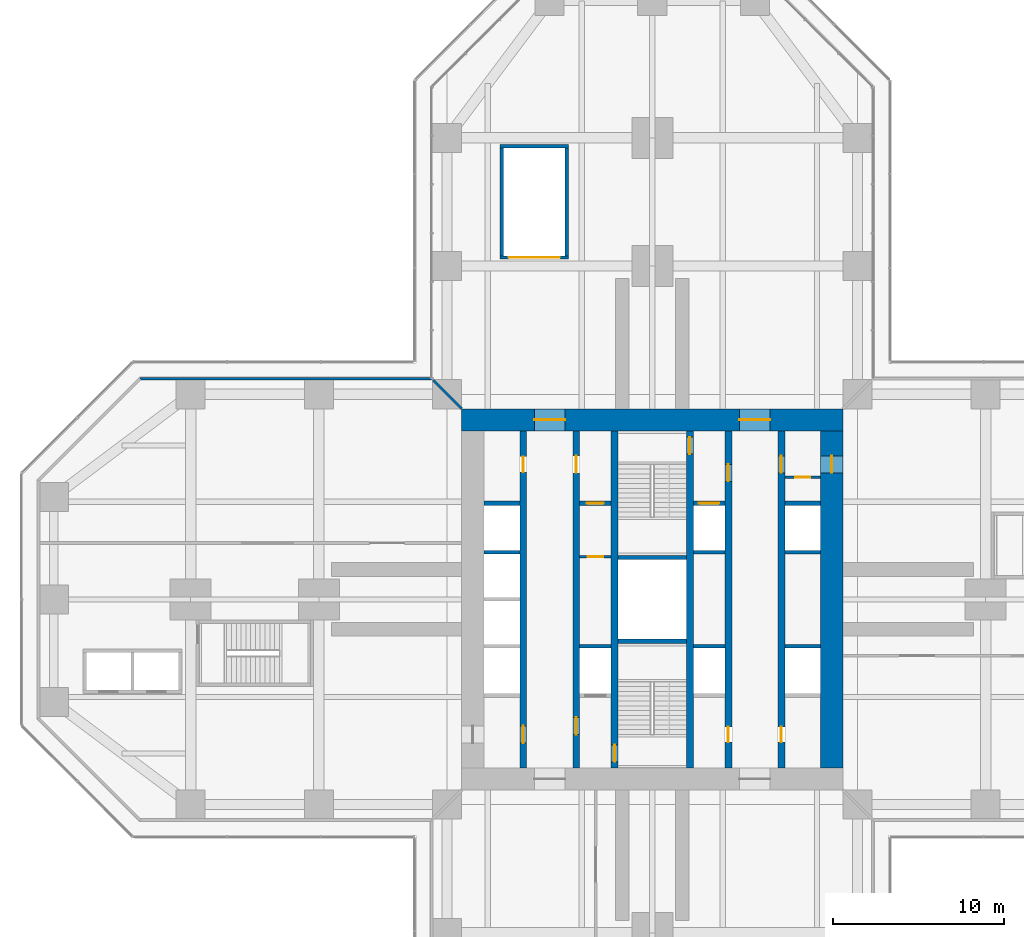
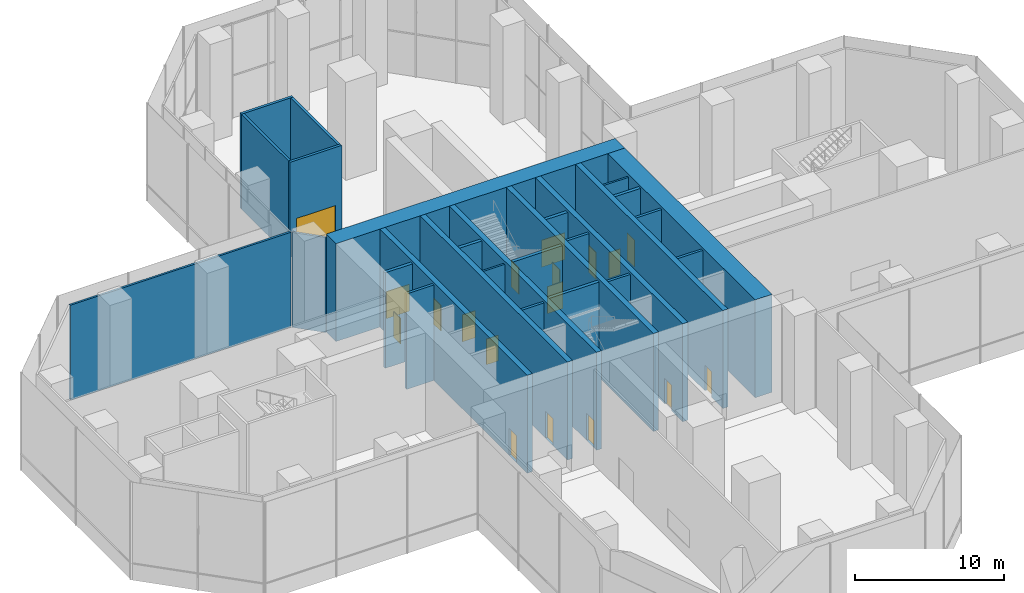
# One storey, part 18 of 25: 28 walls, 18 doors, 18 openings.
"""IFC4 building model written with IfcOpenShell, lengths in metres."""

from ifc_helpers import new_model, si_unit, direction, frame, frame_2d, origin, place, context, subcontext, project, spatial, rectangle, extrude, material, layer, layer_set, type_object, element, fill, save


model = new_model("IFC4")

# Units and contexts
model_context = context("Model", 3, precision=1e-05, world=origin(), true_north=direction((0.0, 1.0)))
body_context = subcontext(model_context, "Body", "Model", "MODEL_VIEW")
ifc_project = project(units=[si_unit("LENGTHUNIT", "METRE"), si_unit("AREAUNIT", "SQUARE_METRE"), si_unit("VOLUMEUNIT", "CUBIC_METRE"), si_unit("PLANEANGLEUNIT", "RADIAN"), si_unit("MASSUNIT", "GRAM", prefix="KILO")], contexts=[model_context])

# Site, building, storey
site_placement = place(None, origin())
site = spatial("IfcSite", under=ifc_project, at=site_placement, CompositionType="ELEMENT")
building_placement = place(site_placement, origin())
building = spatial("IfcBuilding", under=site, at=building_placement, Name="Mizan Broadcast Tower", CompositionType="ELEMENT")
storey_placement = place(building_placement, frame((0.0, 0.0, 7.0)))
storey = spatial("IfcBuildingStorey", under=building, at=storey_placement, Name="L01", CompositionType="ELEMENT", Elevation=7.0)

# Wall, openings, doors
ifc_material_1 = material(Name="Concrete C70/85", Category="concrete")
ifc_layer_1 = layer(ifc_material_1, 0.39990234375)
ifc_layer_set_1 = layer_set([ifc_layer_1], Name="Concrete C70/85")
wall_type_1 = type_object("IfcWallType", Name="CORE INTERNAL WALL 400", PredefinedType="SHEAR", material=ifc_layer_set_1)
wall_1_placement = place(storey_placement, frame((-7.550048828125, -9.85009765625, 0.0), z_axis=(0.0, 0.0, 1.0), x_axis=(0.0, 1.0, 0.0)))
wall_1 = element("IfcWall", 1, at=wall_1_placement, inside=storey, type_object=wall_type_1, Name="Core wall CORE/XW1", PredefinedType="SHEAR", context=body_context, shape_type="SweptSolid", body=[
    extrude(rectangle(XDim=19.7001953125, YDim=0.39990234375, at=frame_2d((9.85009765625, 0.0))), origin(), (0.0, 0.0, 1.0), 8.0),
])
opening_1_placement = place(wall_1_placement, frame((1.449951171875, 0.0, 0.0)))
opening_1 = element("IfcOpeningElement", 2, at=opening_1_placement, cuts=wall_1, Name="Opening D10F", PredefinedType="OPENING", context=body_context, shape_type="SweptSolid", body=[
    extrude(rectangle(XDim=1.0, YDim=2.199951171875, at=frame_2d((0.5, 1.10009765625))), frame((0.0, 0.2099609375, 0.0), z_axis=(0.0, -1.0, 0.0), x_axis=(1.0, 0.0, 0.0)), (0.0, 0.0, 1.0), 0.419921875),
])
opening_2_placement = place(wall_1_placement, frame((17.300048828125, 0.0, 0.0)))
opening_2 = element("IfcOpeningElement", 3, at=opening_2_placement, cuts=wall_1, Name="Opening D09", PredefinedType="OPENING", context=body_context, shape_type="SweptSolid", body=[
    extrude(rectangle(XDim=0.89990234375, YDim=2.10009765625, at=frame_2d((0.449951171875, 1.050048828125))), frame((0.0, 0.2099609375, 0.0), z_axis=(0.0, -1.0, 0.0), x_axis=(1.0, 0.0, 0.0)), (0.0, 0.0, 1.0), 0.419921875),
])
ifc_material_2 = material(Name="Steel door leaf in steel frame", Category="steel")
door_type_1 = type_object("IfcDoorType", Name="FIRE DOOR 1000 FD90", OperationType="SINGLE_SWING_LEFT", PredefinedType="DOOR", material=ifc_material_2)
door_1_placement = place(opening_1_placement, origin())
door_1 = element("IfcDoor", 4, at=door_1_placement, inside=storey, type_object=door_type_1, Name="West core passage door", OperationType="SINGLE_SWING_LEFT", OverallHeight=2.199951171875, OverallWidth=1.0, PredefinedType="DOOR", context=body_context, shape_type="SweptSolid", body=[
    extrude(rectangle(XDim=1.0, YDim=2.199951171875, at=frame_2d((0.5, 1.10009765625))), frame((0.0, 0.02490234375, 0.0), z_axis=(0.0, -1.0, 0.0), x_axis=(1.0, 0.0, 0.0)), (0.0, 0.0, 1.0), 0.050048828125),
])
fill(opening_1, door_1)
ifc_material_3 = material(Name="Timber door leaf in aluminium frame", Category="wood")
door_type_2 = type_object("IfcDoorType", Name="TOILET DOOR 900", OperationType="SINGLE_SWING_LEFT", PredefinedType="DOOR", material=ifc_material_3)
door_2_placement = place(opening_2_placement, origin())
door_2 = element("IfcDoor", 5, at=door_2_placement, inside=storey, type_object=door_type_2, Name="Male WC door", OperationType="SINGLE_SWING_RIGHT", OverallHeight=2.10009765625, OverallWidth=0.89990234375, PredefinedType="DOOR", context=body_context, shape_type="SweptSolid", body=[
    extrude(rectangle(XDim=0.89990234375, YDim=2.10009765625, at=frame_2d((0.449951171875, 1.050048828125))), frame((0.0, 0.02490234375, 0.0), z_axis=(0.0, -1.0, 0.0), x_axis=(1.0, 0.0, 0.0)), (0.0, 0.0, 1.0), 0.050048828125),
])
fill(opening_2, door_2)

wall_2_placement = place(storey_placement, frame((7.550048828125, 9.85009765625, 0.0), z_axis=(0.0, 0.0, 1.0), x_axis=(0.0, -1.0, 0.0)))
wall_2 = element("IfcWall", 6, at=wall_2_placement, inside=storey, type_object=wall_type_1, Name="Core wall CORE/XW1E", PredefinedType="SHEAR", context=body_context, shape_type="SweptSolid", body=[
    extrude(rectangle(XDim=19.7001953125, YDim=0.39990234375, at=frame_2d((9.85009765625, 0.0))), origin(), (0.0, 0.0, 1.0), 8.0),
])
opening_3_placement = place(wall_2_placement, frame((1.449951171875, 0.0, 0.0)))
opening_3 = element("IfcOpeningElement", 7, at=opening_3_placement, cuts=wall_2, Name="Opening D10F", PredefinedType="OPENING", context=body_context, shape_type="SweptSolid", body=[
    extrude(rectangle(XDim=1.0, YDim=2.199951171875, at=frame_2d((0.5, 1.10009765625))), frame((0.0, 0.2099609375, 0.0), z_axis=(0.0, -1.0, 0.0), x_axis=(1.0, 0.0, 0.0)), (0.0, 0.0, 1.0), 0.419921875),
])
opening_4_placement = place(wall_2_placement, frame((17.300048828125, 0.0, 0.0)))
opening_4 = element("IfcOpeningElement", 8, at=opening_4_placement, cuts=wall_2, Name="Opening D09", PredefinedType="OPENING", context=body_context, shape_type="SweptSolid", body=[
    extrude(rectangle(XDim=0.89990234375, YDim=2.10009765625, at=frame_2d((0.449951171875, 1.050048828125))), frame((0.0, 0.2099609375, 0.0), z_axis=(0.0, -1.0, 0.0), x_axis=(1.0, 0.0, 0.0)), (0.0, 0.0, 1.0), 0.419921875),
])
door_3_placement = place(opening_3_placement, origin())
door_3 = element("IfcDoor", 9, at=door_3_placement, inside=storey, type_object=door_type_1, Name="East core passage door", OperationType="SINGLE_SWING_LEFT", OverallHeight=2.199951171875, OverallWidth=1.0, PredefinedType="DOOR", context=body_context, shape_type="SweptSolid", body=[
    extrude(rectangle(XDim=1.0, YDim=2.199951171875, at=frame_2d((0.5, 1.10009765625))), frame((0.0, 0.02490234375, 0.0), z_axis=(0.0, -1.0, 0.0), x_axis=(1.0, 0.0, 0.0)), (0.0, 0.0, 1.0), 0.050048828125),
])
fill(opening_3, door_3)
door_4_placement = place(opening_4_placement, origin())
door_4 = element("IfcDoor", 10, at=door_4_placement, inside=storey, type_object=door_type_2, Name="Female WC door", OperationType="SINGLE_SWING_RIGHT", OverallHeight=2.10009765625, OverallWidth=0.89990234375, PredefinedType="DOOR", context=body_context, shape_type="SweptSolid", body=[
    extrude(rectangle(XDim=0.89990234375, YDim=2.10009765625, at=frame_2d((0.449951171875, 1.050048828125))), frame((0.0, 0.02490234375, 0.0), z_axis=(0.0, -1.0, 0.0), x_axis=(1.0, 0.0, 0.0)), (0.0, 0.0, 1.0), 0.050048828125),
])
fill(opening_4, door_4)

wall_3_placement = place(storey_placement, frame((-4.449951171875, -9.85009765625, 0.0), z_axis=(0.0, 0.0, 1.0), x_axis=(0.0, 1.0, 0.0)))
wall_3 = element("IfcWall", 11, at=wall_3_placement, inside=storey, type_object=wall_type_1, Name="Core wall CORE/XWH", PredefinedType="SHEAR", context=body_context, shape_type="SweptSolid", body=[
    extrude(rectangle(XDim=19.7001953125, YDim=0.39990234375, at=frame_2d((9.85009765625, 0.0))), origin(), (0.0, 0.0, 1.0), 8.0),
])
opening_5_placement = place(wall_3_placement, frame((1.949951171875, 0.0, 0.0)))
opening_5 = element("IfcOpeningElement", 12, at=opening_5_placement, cuts=wall_3, Name="Opening D10F", PredefinedType="OPENING", context=body_context, shape_type="SweptSolid", body=[
    extrude(rectangle(XDim=1.0, YDim=2.199951171875, at=frame_2d((0.5, 1.10009765625))), frame((0.0, 0.2099609375, 0.0), z_axis=(0.0, -1.0, 0.0), x_axis=(1.0, 0.0, 0.0)), (0.0, 0.0, 1.0), 0.419921875),
])
opening_6_placement = place(wall_3_placement, frame((17.25, 0.0, 0.0)))
opening_6 = element("IfcOpeningElement", 13, at=opening_6_placement, cuts=wall_3, Name="Opening D10A", PredefinedType="OPENING", context=body_context, shape_type="SweptSolid", body=[
    extrude(rectangle(XDim=1.0, YDim=2.10009765625, at=frame_2d((0.5, 1.050048828125))), frame((0.0, 0.2099609375, 0.0), z_axis=(0.0, -1.0, 0.0), x_axis=(1.0, 0.0, 0.0)), (0.0, 0.0, 1.0), 0.419921875),
])
ifc_material_4 = material(Name="Timber door leaf in aluminium frame", Category="wood")
door_type_3 = type_object("IfcDoorType", Name="ACCESSIBLE WC DOOR 1000", OperationType="SLIDING_TO_LEFT", PredefinedType="DOOR", material=ifc_material_4)
door_5_placement = place(opening_6_placement, origin())
door_5 = element("IfcDoor", 14, at=door_5_placement, inside=storey, type_object=door_type_3, Name="Accessible WC door", OperationType="SLIDING_TO_LEFT", OverallHeight=2.10009765625, OverallWidth=1.0, PredefinedType="DOOR", context=body_context, shape_type="SweptSolid", body=[
    extrude(rectangle(XDim=1.0, YDim=2.10009765625, at=frame_2d((0.5, 1.050048828125))), frame((0.0, 0.02490234375, 0.0), z_axis=(0.0, -1.0, 0.0), x_axis=(1.0, 0.0, 0.0)), (0.0, 0.0, 1.0), 0.050048828125),
])
fill(opening_6, door_5)
door_6_placement = place(opening_5_placement, origin())
door_6 = element("IfcDoor", 15, at=door_6_placement, inside=storey, type_object=door_type_1, Name="Firefighting lobby A door", OperationType="SINGLE_SWING_LEFT", OverallHeight=2.199951171875, OverallWidth=1.0, PredefinedType="DOOR", context=body_context, shape_type="SweptSolid", body=[
    extrude(rectangle(XDim=1.0, YDim=2.199951171875, at=frame_2d((0.5, 1.10009765625))), frame((0.0, 0.02490234375, 0.0), z_axis=(0.0, -1.0, 0.0), x_axis=(1.0, 0.0, 0.0)), (0.0, 0.0, 1.0), 0.050048828125),
])
fill(opening_5, door_6)

wall_4_placement = place(storey_placement, frame((4.449951171875, 9.85009765625, 0.0), z_axis=(0.0, 0.0, 1.0), x_axis=(0.0, -1.0, 0.0)))
wall_4 = element("IfcWall", 16, at=wall_4_placement, inside=storey, type_object=wall_type_1, Name="Core wall CORE/XWHE", PredefinedType="SHEAR", context=body_context, shape_type="SweptSolid", body=[
    extrude(rectangle(XDim=19.7001953125, YDim=0.39990234375, at=frame_2d((9.85009765625, 0.0))), origin(), (0.0, 0.0, 1.0), 8.0),
])
opening_7_placement = place(wall_4_placement, frame((1.949951171875, 0.0, 0.0)))
opening_7 = element("IfcOpeningElement", 17, at=opening_7_placement, cuts=wall_4, Name="Opening D10F", PredefinedType="OPENING", context=body_context, shape_type="SweptSolid", body=[
    extrude(rectangle(XDim=1.0, YDim=2.199951171875, at=frame_2d((0.5, 1.10009765625))), frame((0.0, 0.2099609375, 0.0), z_axis=(0.0, -1.0, 0.0), x_axis=(1.0, 0.0, 0.0)), (0.0, 0.0, 1.0), 0.419921875),
])
opening_8_placement = place(wall_4_placement, frame((17.300048828125, 0.0, 0.0)))
opening_8 = element("IfcOpeningElement", 18, at=opening_8_placement, cuts=wall_4, Name="Opening D09", PredefinedType="OPENING", context=body_context, shape_type="SweptSolid", body=[
    extrude(rectangle(XDim=0.89990234375, YDim=2.10009765625, at=frame_2d((0.449951171875, 1.050048828125))), frame((0.0, 0.2099609375, 0.0), z_axis=(0.0, -1.0, 0.0), x_axis=(1.0, 0.0, 0.0)), (0.0, 0.0, 1.0), 0.419921875),
])
door_7_placement = place(opening_7_placement, origin())
door_7 = element("IfcDoor", 19, at=door_7_placement, inside=storey, type_object=door_type_1, Name="Firefighting lobby B door", OperationType="SINGLE_SWING_LEFT", OverallHeight=2.199951171875, OverallWidth=1.0, PredefinedType="DOOR", context=body_context, shape_type="SweptSolid", body=[
    extrude(rectangle(XDim=1.0, YDim=2.199951171875, at=frame_2d((0.5, 1.10009765625))), frame((0.0, 0.02490234375, 0.0), z_axis=(0.0, -1.0, 0.0), x_axis=(1.0, 0.0, 0.0)), (0.0, 0.0, 1.0), 0.050048828125),
])
fill(opening_7, door_7)
door_8_placement = place(opening_8_placement, origin())
door_8 = element("IfcDoor", 20, at=door_8_placement, inside=storey, type_object=door_type_2, Name="Cleaner's store door", OperationType="SINGLE_SWING_RIGHT", OverallHeight=2.10009765625, OverallWidth=0.89990234375, PredefinedType="DOOR", context=body_context, shape_type="SweptSolid", body=[
    extrude(rectangle(XDim=0.89990234375, YDim=2.10009765625, at=frame_2d((0.449951171875, 1.050048828125))), frame((0.0, 0.02490234375, 0.0), z_axis=(0.0, -1.0, 0.0), x_axis=(1.0, 0.0, 0.0)), (0.0, 0.0, 1.0), 0.050048828125),
])
fill(opening_8, door_8)

# Wall, opening, door
wall_5_placement = place(storey_placement, frame((-2.199951171875, -9.85009765625, 0.0), z_axis=(0.0, 0.0, 1.0), x_axis=(0.0, 1.0, 0.0)))
wall_5 = element("IfcWall", 21, at=wall_5_placement, inside=storey, type_object=wall_type_1, Name="Core wall CORE/XW2", PredefinedType="SHEAR", context=body_context, shape_type="SweptSolid", body=[
    extrude(rectangle(XDim=19.7001953125, YDim=0.39990234375, at=frame_2d((9.85009765625, 0.0))), origin(), (0.0, 0.0, 1.0), 8.0),
])
opening_9_placement = place(wall_5_placement, frame((0.35009765625, 0.0, 0.0)))
opening_9 = element("IfcOpeningElement", 22, at=opening_9_placement, cuts=wall_5, Name="Opening D10S", PredefinedType="OPENING", context=body_context, shape_type="SweptSolid", body=[
    extrude(rectangle(XDim=1.0, YDim=2.199951171875, at=frame_2d((0.5, 1.10009765625))), frame((0.0, 0.2099609375, 0.0), z_axis=(0.0, -1.0, 0.0), x_axis=(1.0, 0.0, 0.0)), (0.0, 0.0, 1.0), 0.419921875),
])
ifc_material_5 = material(Name="Steel door leaf in steel frame", Category="steel")
door_type_4 = type_object("IfcDoorType", Name="STAIR DOOR 1000 FD90S", OperationType="SINGLE_SWING_RIGHT", PredefinedType="DOOR", material=ifc_material_5)
door_9_placement = place(opening_9_placement, origin())
door_9 = element("IfcDoor", 23, at=door_9_placement, inside=storey, type_object=door_type_4, Name="Stair A door", OperationType="SINGLE_SWING_RIGHT", OverallHeight=2.199951171875, OverallWidth=1.0, PredefinedType="DOOR", context=body_context, shape_type="SweptSolid", body=[
    extrude(rectangle(XDim=1.0, YDim=2.199951171875, at=frame_2d((0.5, 1.10009765625))), frame((0.0, 0.02490234375, 0.0), z_axis=(0.0, -1.0, 0.0), x_axis=(1.0, 0.0, 0.0)), (0.0, 0.0, 1.0), 0.050048828125),
])
fill(opening_9, door_9)

wall_6_placement = place(storey_placement, frame((2.199951171875, 9.85009765625, 0.0), z_axis=(0.0, 0.0, 1.0), x_axis=(0.0, -1.0, 0.0)))
wall_6 = element("IfcWall", 24, at=wall_6_placement, inside=storey, type_object=wall_type_1, Name="Core wall CORE/XW2E", PredefinedType="SHEAR", context=body_context, shape_type="SweptSolid", body=[
    extrude(rectangle(XDim=19.7001953125, YDim=0.39990234375, at=frame_2d((9.85009765625, 0.0))), origin(), (0.0, 0.0, 1.0), 8.0),
])
opening_10_placement = place(wall_6_placement, frame((0.35009765625, 0.0, 0.0)))
opening_10 = element("IfcOpeningElement", 25, at=opening_10_placement, cuts=wall_6, Name="Opening D10S", PredefinedType="OPENING", context=body_context, shape_type="SweptSolid", body=[
    extrude(rectangle(XDim=1.0, YDim=2.199951171875, at=frame_2d((0.5, 1.10009765625))), frame((0.0, 0.2099609375, 0.0), z_axis=(0.0, -1.0, 0.0), x_axis=(1.0, 0.0, 0.0)), (0.0, 0.0, 1.0), 0.419921875),
])
door_10_placement = place(opening_10_placement, origin())
door_10 = element("IfcDoor", 26, at=door_10_placement, inside=storey, type_object=door_type_4, Name="Stair B door", OperationType="SINGLE_SWING_RIGHT", OverallHeight=2.199951171875, OverallWidth=1.0, PredefinedType="DOOR", context=body_context, shape_type="SweptSolid", body=[
    extrude(rectangle(XDim=1.0, YDim=2.199951171875, at=frame_2d((0.5, 1.10009765625))), frame((0.0, 0.02490234375, 0.0), z_axis=(0.0, -1.0, 0.0), x_axis=(1.0, 0.0, 0.0)), (0.0, 0.0, 1.0), 0.050048828125),
])
fill(opening_10, door_10)

ifc_material_6 = material(Name="Concrete blockwork", Category="masonry")
ifc_layer_2 = layer(ifc_material_6, 0.14990234375)
ifc_layer_set_2 = layer_set([ifc_layer_2], Name="Concrete blockwork")
wall_type_2 = type_object("IfcWallType", Name="CORE PARTITION 150", PredefinedType="SOLIDWALL", material=ifc_layer_set_2)
wall_7_placement = place(storey_placement, frame((-4.25, 2.5, 0.0), z_axis=(0.0, 0.0, 1.0), x_axis=(1.0, 0.0, 0.0)))
wall_7 = element("IfcWall", 27, at=wall_7_placement, inside=storey, type_object=wall_type_2, Name="Core partition CORE/XP2", PredefinedType="SOLIDWALL", context=body_context, shape_type="SweptSolid", body=[
    extrude(rectangle(XDim=1.85009765625, YDim=0.14990234375, at=frame_2d((0.925048828125, 0.0))), origin(), (0.0, 0.0, 1.0), 7.75),
])
opening_11_placement = place(wall_7_placement, frame((0.47509765625, 0.0, 0.0)))
opening_11 = element("IfcOpeningElement", 28, at=opening_11_placement, cuts=wall_7, Name="Opening D09F", PredefinedType="OPENING", context=body_context, shape_type="SweptSolid", body=[
    extrude(rectangle(XDim=0.89990234375, YDim=2.10009765625, at=frame_2d((0.449951171875, 1.050048828125))), frame((0.0, 0.0849609375, 0.0), z_axis=(0.0, -1.0, 0.0), x_axis=(1.0, 0.0, 0.0)), (0.0, 0.0, 1.0), 0.169921875),
])
ifc_material_7 = material(Name="Steel door leaf in steel frame", Category="steel")
door_type_5 = type_object("IfcDoorType", Name="CORE ROOM DOOR 900 FD90", OperationType="SINGLE_SWING_LEFT", PredefinedType="DOOR", material=ifc_material_7)
door_11_placement = place(opening_11_placement, origin())
door_11 = element("IfcDoor", 29, at=door_11_placement, inside=storey, type_object=door_type_5, Name="Shower store door", OperationType="SINGLE_SWING_RIGHT", OverallHeight=2.10009765625, OverallWidth=0.89990234375, PredefinedType="DOOR", context=body_context, shape_type="SweptSolid", body=[
    extrude(rectangle(XDim=0.89990234375, YDim=2.10009765625, at=frame_2d((0.449951171875, 1.050048828125))), frame((0.0, 0.02490234375, 0.0), z_axis=(0.0, -1.0, 0.0), x_axis=(1.0, 0.0, 0.0)), (0.0, 0.0, 1.0), 0.050048828125),
])
fill(opening_11, door_11)

wall_8_placement = place(storey_placement, frame((9.85009765625, 7.14990234375, 0.0), z_axis=(0.0, 0.0, 1.0), x_axis=(-1.0, 0.0, 0.0)))
wall_8 = element("IfcWall", 30, at=wall_8_placement, inside=storey, type_object=wall_type_2, Name="Core partition CORE/XPE", PredefinedType="SOLIDWALL", context=body_context, shape_type="SweptSolid", body=[
    extrude(rectangle(XDim=2.10009765625, YDim=0.14990234375, at=frame_2d((1.050048828125, 0.0))), origin(), (0.0, 0.0, 1.0), 7.75),
])
opening_12_placement = place(wall_8_placement, frame((0.60009765625, 0.0, 0.0)))
opening_12 = element("IfcOpeningElement", 31, at=opening_12_placement, cuts=wall_8, Name="Opening D09F", PredefinedType="OPENING", context=body_context, shape_type="SweptSolid", body=[
    extrude(rectangle(XDim=0.89990234375, YDim=2.10009765625, at=frame_2d((0.449951171875, 1.050048828125))), frame((0.0, 0.0849609375, 0.0), z_axis=(0.0, -1.0, 0.0), x_axis=(1.0, 0.0, 0.0)), (0.0, 0.0, 1.0), 0.169921875),
])
door_12_placement = place(opening_12_placement, origin())
door_12 = element("IfcDoor", 32, at=door_12_placement, inside=storey, type_object=door_type_5, Name="Comms cupboard door", OperationType="SINGLE_SWING_RIGHT", OverallHeight=2.10009765625, OverallWidth=0.89990234375, PredefinedType="DOOR", context=body_context, shape_type="SweptSolid", body=[
    extrude(rectangle(XDim=0.89990234375, YDim=2.10009765625, at=frame_2d((0.449951171875, 1.050048828125))), frame((0.0, 0.02490234375, 0.0), z_axis=(0.0, -1.0, 0.0), x_axis=(1.0, 0.0, 0.0)), (0.0, 0.0, 1.0), 0.050048828125),
])
fill(opening_12, door_12)

# Wall, openings, doors
ifc_material_8 = material(Name="Concrete C70/85", Category="concrete")
ifc_layer_3 = layer(ifc_material_8, 1.300048828125)
ifc_layer_set_3 = layer_set([ifc_layer_3], Name="Concrete C70/85")
wall_type_3 = type_object("IfcWallType", Name="CORE WALL 1300", PredefinedType="SHEAR", material=ifc_layer_set_3)
wall_9_placement = place(storey_placement, frame((-11.14990234375, 10.5, 0.0), z_axis=(0.0, 0.0, 1.0), x_axis=(1.0, 0.0, 0.0)))
wall_9 = element("IfcWall", 33, at=wall_9_placement, inside=storey, type_object=wall_type_3, Name="Core wall N L01", PredefinedType="SHEAR", context=body_context, shape_type="SweptSolid", body=[
    extrude(rectangle(XDim=22.2998046875, YDim=1.300048828125, at=frame_2d((11.14990234375, 0.0))), origin(), (0.0, 0.0, 1.0), 8.0),
])
opening_13_placement = place(wall_9_placement, frame((4.25, 0.0, 0.0)))
opening_13 = element("IfcOpeningElement", 34, at=opening_13_placement, cuts=wall_9, Name="Opening D18F", PredefinedType="OPENING", context=body_context, shape_type="SweptSolid", body=[
    extrude(rectangle(XDim=1.800048828125, YDim=2.199951171875, at=frame_2d((0.89990234375, 1.10009765625))), frame((0.0, 0.659912109375, 0.0), z_axis=(0.0, -1.0, 0.0), x_axis=(1.0, 0.0, 0.0)), (0.0, 0.0, 1.0), 1.320068359375),
])
opening_14_placement = place(wall_9_placement, frame((16.25, 0.0, 0.0)))
opening_14 = element("IfcOpeningElement", 35, at=opening_14_placement, cuts=wall_9, Name="Opening D18F", PredefinedType="OPENING", context=body_context, shape_type="SweptSolid", body=[
    extrude(rectangle(XDim=1.800048828125, YDim=2.199951171875, at=frame_2d((0.89990234375, 1.10009765625))), frame((0.0, 0.659912109375, 0.0), z_axis=(0.0, -1.0, 0.0), x_axis=(1.0, 0.0, 0.0)), (0.0, 0.0, 1.0), 1.320068359375),
])
ifc_material_9 = material(Name="Steel door leaf in steel frame", Category="steel")
door_type_6 = type_object("IfcDoorType", Name="LOBBY DOUBLE DOOR 1800 FD90", OperationType="DOUBLE_DOOR_DOUBLE_SWING", PredefinedType="DOOR", material=ifc_material_9)
door_13_placement = place(opening_13_placement, origin())
door_13 = element("IfcDoor", 36, at=door_13_placement, inside=storey, type_object=door_type_6, Name="West lift lobby north door", OperationType="DOUBLE_DOOR_DOUBLE_SWING", OverallHeight=2.199951171875, OverallWidth=1.800048828125, PredefinedType="DOOR", context=body_context, shape_type="SweptSolid", body=[
    extrude(rectangle(XDim=1.800048828125, YDim=2.199951171875, at=frame_2d((0.89990234375, 1.10009765625))), frame((0.0, 0.02490234375, 0.0), z_axis=(0.0, -1.0, 0.0), x_axis=(1.0, 0.0, 0.0)), (0.0, 0.0, 1.0), 0.050048828125),
])
fill(opening_13, door_13)
door_14_placement = place(opening_14_placement, origin())
door_14 = element("IfcDoor", 37, at=door_14_placement, inside=storey, type_object=door_type_6, Name="East lift lobby north door", OperationType="DOUBLE_DOOR_DOUBLE_SWING", OverallHeight=2.199951171875, OverallWidth=1.800048828125, PredefinedType="DOOR", context=body_context, shape_type="SweptSolid", body=[
    extrude(rectangle(XDim=1.800048828125, YDim=2.199951171875, at=frame_2d((0.89990234375, 1.10009765625))), frame((0.0, 0.02490234375, 0.0), z_axis=(0.0, -1.0, 0.0), x_axis=(1.0, 0.0, 0.0)), (0.0, 0.0, 1.0), 0.050048828125),
])
fill(opening_14, door_14)

# Wall, opening, door
wall_10_placement = place(storey_placement, frame((10.5, -9.85009765625, 0.0), z_axis=(0.0, 0.0, 1.0), x_axis=(0.0, 1.0, 0.0)))
wall_10 = element("IfcWall", 38, at=wall_10_placement, inside=storey, type_object=wall_type_3, Name="Core wall E L01", PredefinedType="SHEAR", context=body_context, shape_type="SweptSolid", body=[
    extrude(rectangle(XDim=19.7001953125, YDim=1.300048828125, at=frame_2d((9.85009765625, 0.0))), origin(), (0.0, 0.0, 1.0), 8.0),
])
opening_15_placement = place(wall_10_placement, frame((17.25, 0.0, 0.0)))
opening_15 = element("IfcOpeningElement", 39, at=opening_15_placement, cuts=wall_10, Name="Opening D10F", PredefinedType="OPENING", context=body_context, shape_type="SweptSolid", body=[
    extrude(rectangle(XDim=1.0, YDim=2.199951171875, at=frame_2d((0.5, 1.10009765625))), frame((0.0, 0.659912109375, 0.0), z_axis=(0.0, -1.0, 0.0), x_axis=(1.0, 0.0, 0.0)), (0.0, 0.0, 1.0), 1.320068359375),
])
door_15_placement = place(opening_15_placement, origin())
door_15 = element("IfcDoor", 40, at=door_15_placement, inside=storey, type_object=door_type_1, Name="East core passage arm door", OperationType="SINGLE_SWING_RIGHT", OverallHeight=2.199951171875, OverallWidth=1.0, PredefinedType="DOOR", context=body_context, shape_type="SweptSolid", body=[
    extrude(rectangle(XDim=1.0, YDim=2.199951171875, at=frame_2d((0.5, 1.10009765625))), frame((0.0, 0.02490234375, 0.0), z_axis=(0.0, -1.0, 0.0), x_axis=(1.0, 0.0, 0.0)), (0.0, 0.0, 1.0), 0.050048828125),
])
fill(opening_15, door_15)

# Walls
ifc_material_10 = material(Name="Concrete blockwork", Category="masonry")
ifc_layer_4 = layer(ifc_material_10, 0.199951171875)
ifc_layer_set_4 = layer_set([ifc_layer_4], Name="Concrete blockwork")
wall_type_4 = type_object("IfcWallType", Name="LIFT SHAFT WALL 200", PredefinedType="SOLIDWALL", material=ifc_layer_set_4)
for number, where, z_axis, x_axis, name in (
    (41, (-4.25, -2.75, 0.0), (0.0, 0.0, 1.0), (1.0, 0.0, 0.0), "Lift shaft wall CORE/SW2-1"),
    (42, (2.39990234375, -2.75, 0.0), (0.0, 0.0, 1.0), (1.0, 0.0, 0.0), "Lift shaft wall CORE/SE2-1"),
):
    element("IfcWall", number, at=place(storey_placement, frame(where, z_axis=z_axis, x_axis=x_axis)), inside=storey, type_object=wall_type_4, Name=name, PredefinedType="SOLIDWALL", context=body_context, shape_type="SweptSolid", body=[
        extrude(rectangle(XDim=1.85009765625, YDim=0.199951171875, at=frame_2d((0.925048828125, 0.0))), origin(), (0.0, 0.0, 1.0), 7.800048828125),
    ])
for number, where, z_axis, x_axis, name in (
    (43, (7.75, -2.75, 0.0), (0.0, 0.0, 1.0), (1.0, 0.0, 0.0), "Lift shaft wall CORE/SE1-1"),
    (44, (-9.85009765625, 2.75, 0.0), (0.0, 0.0, 1.0), (1.0, 0.0, 0.0), "Lift shaft wall CORE/SW1-3"),
):
    element("IfcWall", number, at=place(storey_placement, frame(where, z_axis=z_axis, x_axis=x_axis)), inside=storey, type_object=wall_type_4, Name=name, PredefinedType="SOLIDWALL", context=body_context, shape_type="SweptSolid", body=[
        extrude(rectangle(XDim=2.10009765625, YDim=0.199951171875, at=frame_2d((1.050048828125, 0.0))), origin(), (0.0, 0.0, 1.0), 7.800048828125),
    ])
wall_11_placement = place(storey_placement, frame((2.39990234375, 2.75, 0.0), z_axis=(0.0, 0.0, 1.0), x_axis=(1.0, 0.0, 0.0)))
element("IfcWall", 45, at=wall_11_placement, inside=storey, type_object=wall_type_4, Name="Lift shaft wall CORE/SE2-3", PredefinedType="SOLIDWALL", context=body_context, shape_type="SweptSolid", body=[
    extrude(rectangle(XDim=1.85009765625, YDim=0.199951171875, at=frame_2d((0.925048828125, 0.0))), origin(), (0.0, 0.0, 1.0), 7.800048828125),
])
wall_12_placement = place(storey_placement, frame((7.75, 2.75, 0.0), z_axis=(0.0, 0.0, 1.0), x_axis=(1.0, 0.0, 0.0)))
element("IfcWall", 46, at=wall_12_placement, inside=storey, type_object=wall_type_4, Name="Lift shaft wall CORE/SE1-3", PredefinedType="SOLIDWALL", context=body_context, shape_type="SweptSolid", body=[
    extrude(rectangle(XDim=2.10009765625, YDim=0.199951171875, at=frame_2d((1.050048828125, 0.0))), origin(), (0.0, 0.0, 1.0), 7.800048828125),
])

# Wall, opening, door
wall_13_placement = place(storey_placement, frame((-4.89990234375, 20.0, 0.0), z_axis=(0.0, 0.0, 1.0), x_axis=(-1.0, 0.0, 0.0)))
wall_13 = element("IfcWall", 47, at=wall_13_placement, inside=storey, type_object=wall_type_4, Name="Lift shaft wall GLS/U0", PredefinedType="SOLIDWALL", context=body_context, shape_type="SweptSolid", body=[
    extrude(rectangle(XDim=4.0, YDim=0.199951171875, at=frame_2d((2.0, 0.0))), origin(), (0.0, 0.0, 1.0), 7.75),
])
opening_16_placement = place(wall_13_placement, frame((0.5, 0.0, 0.0)))
opening_16 = element("IfcOpeningElement", 48, at=opening_16_placement, cuts=wall_13, Name="Opening LDG", PredefinedType="OPENING", context=body_context, shape_type="SweptSolid", body=[
    extrude(rectangle(XDim=3.0, YDim=3.0, at=frame_2d((1.5, 1.5))), frame((0.0, 0.10986328125, 0.0), z_axis=(0.0, -1.0, 0.0), x_axis=(1.0, 0.0, 0.0)), (0.0, 0.0, 1.0), 0.219970703125),
])
ifc_material_11 = material(Name="Steel door leaf in steel frame", Category="steel")
door_type_7 = type_object("IfcDoorType", Name="GOODS LIFT LANDING DOOR 3000", OperationType="SLIDING_TO_LEFT", PredefinedType="DOOR", material=ifc_material_11)
door_16_placement = place(opening_16_placement, origin())
door_16 = element("IfcDoor", 49, at=door_16_placement, inside=storey, type_object=door_type_7, Name="Landing door GL1", OperationType="SLIDING_TO_LEFT", OverallHeight=3.0, OverallWidth=3.0, PredefinedType="DOOR", context=body_context, shape_type="SweptSolid", body=[
    extrude(rectangle(XDim=3.0, YDim=3.0, at=frame_2d((1.5, 1.5))), frame((0.0, 0.02490234375, 0.0), z_axis=(0.0, -1.0, 0.0), x_axis=(1.0, 0.0, 0.0)), (0.0, 0.0, 1.0), 0.050048828125),
])
fill(opening_16, door_16)

# Walls
wall_14_placement = place(storey_placement, frame((-8.89990234375, 26.5, 0.0), z_axis=(0.0, 0.0, 1.0), x_axis=(1.0, 0.0, 0.0)))
element("IfcWall", 50, at=wall_14_placement, inside=storey, type_object=wall_type_4, Name="Lift shaft wall GLS/U1", PredefinedType="SOLIDWALL", context=body_context, shape_type="SweptSolid", body=[
    extrude(rectangle(XDim=4.0, YDim=0.199951171875, at=frame_2d((2.0, 0.0))), origin(), (0.0, 0.0, 1.0), 7.75),
])
for number, where, z_axis, x_axis, name in (
    (51, (-5.0, 20.10009765625, 0.0), (0.0, 0.0, 1.0), (0.0, 1.0, 0.0), "Lift shaft wall GLS/V0"),
    (52, (-8.800048828125, 26.39990234375, 0.0), (0.0, 0.0, 1.0), (0.0, -1.0, 0.0), "Lift shaft wall GLS/V1"),
):
    element("IfcWall", number, at=place(storey_placement, frame(where, z_axis=z_axis, x_axis=x_axis)), inside=storey, type_object=wall_type_4, Name=name, PredefinedType="SOLIDWALL", context=body_context, shape_type="SweptSolid", body=[
        extrude(rectangle(XDim=6.2998046875, YDim=0.199951171875, at=frame_2d((3.14990234375, 0.0))), origin(), (0.0, 0.0, 1.0), 7.75),
    ])
ifc_material_12 = material(Name="Concrete blockwork", Category="masonry")
ifc_layer_5 = layer(ifc_material_12, 0.25)
ifc_layer_set_5 = layer_set([ifc_layer_5], Name="Concrete blockwork")
wall_type_5 = type_object("IfcWallType", Name="LOBBY ENCLOSURE WALL 250", PredefinedType="SOLIDWALL", material=ifc_layer_set_5)
wall_15_placement = place(storey_placement, frame((-9.85009765625, 5.625, 0.0), z_axis=(0.0, 0.0, 1.0), x_axis=(1.0, 0.0, 0.0)))
element("IfcWall", 53, at=wall_15_placement, inside=storey, type_object=wall_type_5, Name="Lobby enclosure wall CORE/BW1N", PredefinedType="SOLIDWALL", context=body_context, shape_type="SweptSolid", body=[
    extrude(rectangle(XDim=2.10009765625, YDim=0.25, at=frame_2d((1.050048828125, 0.0))), origin(), (0.0, 0.0, 1.0), 7.800048828125),
])

# Wall, opening, door
wall_16_placement = place(storey_placement, frame((-4.25, 5.625, 0.0), z_axis=(0.0, 0.0, 1.0), x_axis=(1.0, 0.0, 0.0)))
wall_16 = element("IfcWall", 54, at=wall_16_placement, inside=storey, type_object=wall_type_5, Name="Lobby enclosure wall CORE/BW2N", PredefinedType="SOLIDWALL", context=body_context, shape_type="SweptSolid", body=[
    extrude(rectangle(XDim=1.85009765625, YDim=0.25, at=frame_2d((0.925048828125, 0.0))), origin(), (0.0, 0.0, 1.0), 7.800048828125),
])
opening_17_placement = place(wall_16_placement, frame((0.425048828125, 0.0, 0.0)))
opening_17 = element("IfcOpeningElement", 55, at=opening_17_placement, cuts=wall_16, Name="Opening D10F", PredefinedType="OPENING", context=body_context, shape_type="SweptSolid", body=[
    extrude(rectangle(XDim=1.0, YDim=2.199951171875, at=frame_2d((0.5, 1.10009765625))), frame((0.0, 0.135009765625, 0.0), z_axis=(0.0, -1.0, 0.0), x_axis=(1.0, 0.0, 0.0)), (0.0, 0.0, 1.0), 0.27001953125),
])
door_17_placement = place(opening_17_placement, origin())
door_17 = element("IfcDoor", 56, at=door_17_placement, inside=storey, type_object=door_type_1, Name="Accessible changing room door", OperationType="SINGLE_SWING_RIGHT", OverallHeight=2.199951171875, OverallWidth=1.0, PredefinedType="DOOR", context=body_context, shape_type="SweptSolid", body=[
    extrude(rectangle(XDim=1.0, YDim=2.199951171875, at=frame_2d((0.5, 1.10009765625))), frame((0.0, 0.02490234375, 0.0), z_axis=(0.0, -1.0, 0.0), x_axis=(1.0, 0.0, 0.0)), (0.0, 0.0, 1.0), 0.050048828125),
])
fill(opening_17, door_17)

wall_17_placement = place(storey_placement, frame((2.39990234375, 5.625, 0.0), z_axis=(0.0, 0.0, 1.0), x_axis=(1.0, 0.0, 0.0)))
wall_17 = element("IfcWall", 57, at=wall_17_placement, inside=storey, type_object=wall_type_5, Name="Lobby enclosure wall CORE/BE2N", PredefinedType="SOLIDWALL", context=body_context, shape_type="SweptSolid", body=[
    extrude(rectangle(XDim=1.85009765625, YDim=0.25, at=frame_2d((0.925048828125, 0.0))), origin(), (0.0, 0.0, 1.0), 7.800048828125),
])
opening_18_placement = place(wall_17_placement, frame((0.324951171875, 0.0, 0.0)))
opening_18 = element("IfcOpeningElement", 58, at=opening_18_placement, cuts=wall_17, Name="Opening LDF", PredefinedType="OPENING", context=body_context, shape_type="SweptSolid", body=[
    extrude(rectangle(XDim=1.199951171875, YDim=2.199951171875, at=frame_2d((0.60009765625, 1.10009765625))), frame((0.0, 0.135009765625, 0.0), z_axis=(0.0, -1.0, 0.0), x_axis=(1.0, 0.0, 0.0)), (0.0, 0.0, 1.0), 0.27001953125),
])
ifc_material_13 = material(Name="Steel door leaf in steel frame", Category="steel")
door_type_8 = type_object("IfcDoorType", Name="FIREFIGHTING LIFT LANDING DOOR 1200", OperationType="SLIDING_TO_LEFT", PredefinedType="DOOR", material=ifc_material_13)
door_18_placement = place(opening_18_placement, origin())
door_18 = element("IfcDoor", 59, at=door_18_placement, inside=storey, type_object=door_type_8, Name="Landing door FF2", OperationType="SLIDING_TO_LEFT", OverallHeight=2.199951171875, OverallWidth=1.199951171875, PredefinedType="DOOR", context=body_context, shape_type="SweptSolid", body=[
    extrude(rectangle(XDim=1.199951171875, YDim=2.199951171875, at=frame_2d((0.60009765625, 1.10009765625))), frame((0.0, 0.02490234375, 0.0), z_axis=(0.0, -1.0, 0.0), x_axis=(1.0, 0.0, 0.0)), (0.0, 0.0, 1.0), 0.050048828125),
])
fill(opening_18, door_18)

# Walls
wall_18_placement = place(storey_placement, frame((7.75, 5.625, 0.0), z_axis=(0.0, 0.0, 1.0), x_axis=(1.0, 0.0, 0.0)))
element("IfcWall", 60, at=wall_18_placement, inside=storey, type_object=wall_type_5, Name="Lobby enclosure wall CORE/BE1N", PredefinedType="SOLIDWALL", context=body_context, shape_type="SweptSolid", body=[
    extrude(rectangle(XDim=2.10009765625, YDim=0.25, at=frame_2d((1.050048828125, 0.0))), origin(), (0.0, 0.0, 1.0), 7.800048828125),
])
for number, where, z_axis, x_axis, name in (
    (61, (-2.0, -2.449951171875, 0.0), (0.0, 0.0, 1.0), (1.0, 0.0, 0.0), "Lobby enclosure wall CORE/STA"),
    (62, (-2.0, 2.449951171875, 0.0), (0.0, 0.0, 1.0), (1.0, 0.0, 0.0), "Lobby enclosure wall CORE/STB"),
):
    element("IfcWall", number, at=place(storey_placement, frame(where, z_axis=z_axis, x_axis=x_axis)), inside=storey, type_object=wall_type_5, Name=name, PredefinedType="SOLIDWALL", context=body_context, shape_type="SweptSolid", body=[
        extrude(rectangle(XDim=4.0, YDim=0.25, at=frame_2d((2.0, 0.0))), origin(), (0.0, 0.0, 1.0), 7.800048828125),
    ])
ifc_material_14 = material(Name="Gypsum board on steel studs", Category="steel")
ifc_layer_6 = layer(ifc_material_14, 0.14990234375)
ifc_layer_set_6 = layer_set([ifc_layer_6], Name="Gypsum board on steel studs")
wall_type_6 = type_object("IfcWallType", Name="PARTITION 150", PredefinedType="PARTITIONING", material=ifc_layer_set_6)
wall_19_placement = place(storey_placement, frame((-11.14990234375, 11.14990234375, 0.0), z_axis=(0.0, 0.0, 1.0), x_axis=(-0.707106781187, 0.707106781187, 0.0)))
element("IfcWall", 63, at=wall_19_placement, inside=storey, type_object=wall_type_6, Name="Partition PT/DGWN", PredefinedType="PARTITIONING", context=body_context, shape_type="SweptSolid", body=[
    extrude(rectangle(XDim=2.362060546875, YDim=0.14990234375, at=frame_2d((1.18115234375, 0.0))), origin(), (0.0, 0.0, 1.0), 7.75),
])
ifc_material_15 = material(Name="Insulated aluminium panel wall", Category="aluminium")
ifc_layer_7 = layer(ifc_material_15, 0.159912109375)
ifc_layer_set_7 = layer_set([ifc_layer_7], Name="Insulated aluminium panel wall")
wall_type_7 = type_object("IfcWallType", Name="STUDIO CLADDING WALL 160", PredefinedType="SOLIDWALL", material=ifc_layer_set_7)
wall_20_placement = place(storey_placement, frame((-12.89990234375, 12.89990234375, 0.0), z_axis=(0.0, 0.0, 1.0), x_axis=(-1.0, 0.0, 0.0)))
element("IfcWall", 64, at=wall_20_placement, inside=storey, type_object=wall_type_7, Name="External wall L01 W side", PredefinedType="SOLIDWALL", context=body_context, shape_type="SweptSolid", body=[
    extrude(rectangle(XDim=17.05859375, YDim=0.159912109375, at=frame_2d((8.529296875, 0.0))), origin(), (0.0, 0.0, 1.0), 7.75),
])

save(model, "model.ifc")
